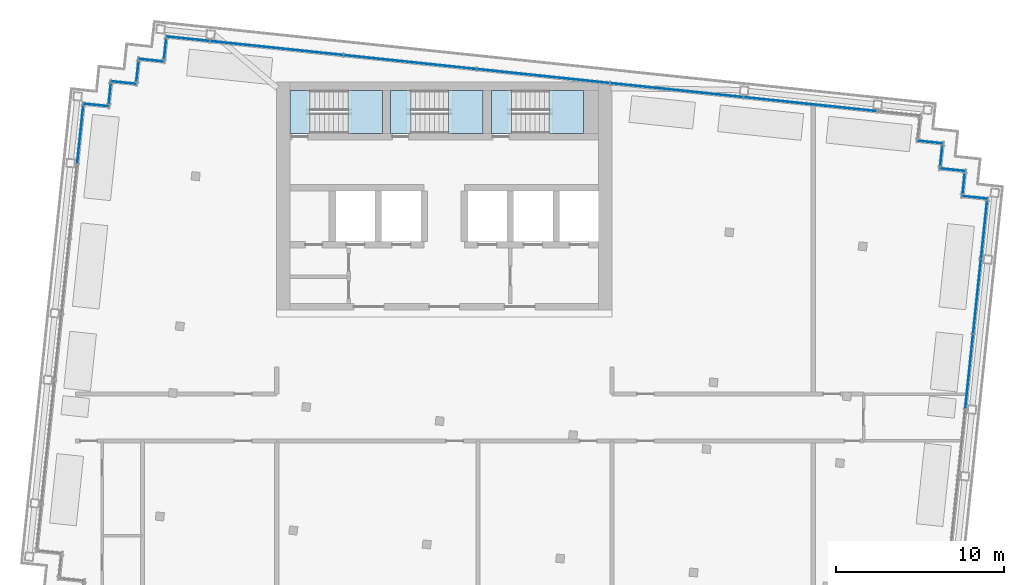
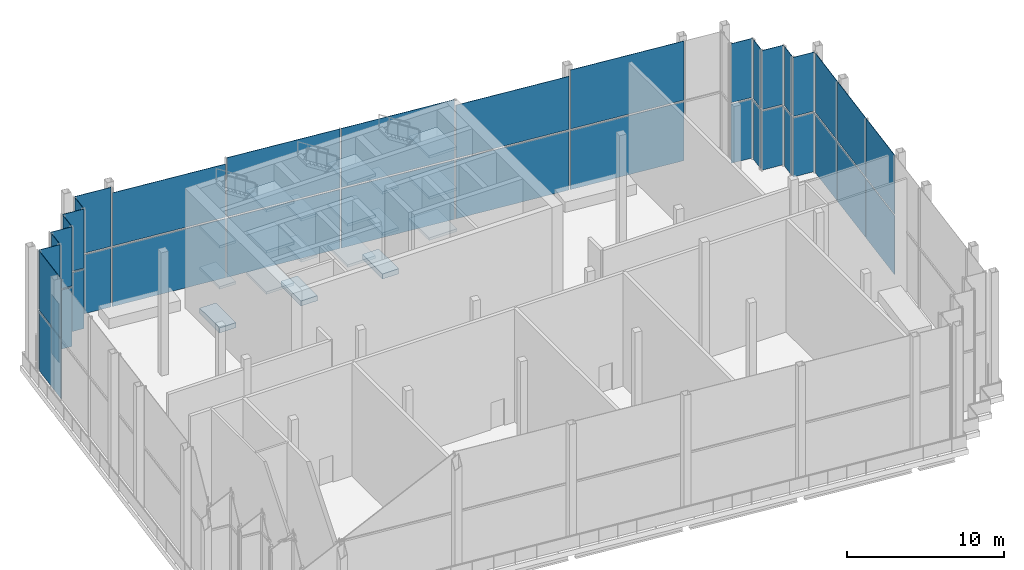
# One storey, part 7 of 14: 42 plates, 18 slabs, 17 elements without a shape of their own.
"""IFC4 building model written with IfcOpenShell, lengths in metres."""

from ifc_helpers import new_model, si_unit, direction, frame, origin, origin_2d, place, context, subcontext, project, spatial, polyline, rectangle, outline, extrude, material, layer, layer_set, type_object, element, aggregate, save


model = new_model("IFC4")

# Units and contexts
model_context = context("Model", 3, precision=1e-05, world=origin(), true_north=direction((0.0, 1.0)))
body_context = subcontext(model_context, "Body", "Model", "MODEL_VIEW")
ifc_project = project(units=[si_unit("LENGTHUNIT", "METRE"), si_unit("AREAUNIT", "SQUARE_METRE"), si_unit("VOLUMEUNIT", "CUBIC_METRE"), si_unit("PLANEANGLEUNIT", "RADIAN"), si_unit("MASSUNIT", "GRAM", prefix="KILO")], contexts=[model_context])

# Site, building, storey
site_placement = place(None, origin())
site = spatial("IfcSite", under=ifc_project, at=site_placement, CompositionType="ELEMENT")
building_placement = place(site_placement, origin())
building = spatial("IfcBuilding", under=site, at=building_placement, Name="Vidyagriha Tower", CompositionType="ELEMENT")
storey_placement = place(building_placement, frame((0.0, 0.0, 281.89990234375)))
storey = spatial("IfcBuildingStorey", under=building, at=storey_placement, Name="L74", CompositionType="ELEMENT", Elevation=281.89990234375)

# Slabs
ifc_material_1 = material(Name="Concrete C40/50", Category="concrete")
ifc_layer_1 = layer(ifc_material_1, 0.39990234375)
ifc_layer_set_1 = layer_set([ifc_layer_1], Name="Concrete C40/50")
slab_type_1 = type_object("IfcSlabType", Name="Exit stair floor landing 400 mm", PredefinedType="LANDING", material=ifc_layer_set_1)
slab_1_placement = place(storey_placement, frame((0.0, 0.0, -0.39990234375)))
element("IfcSlab", 1, at=slab_1_placement, inside=storey, type_object=slab_type_1, Name="ST1 floor landing L74", PredefinedType="LANDING", context=body_context, shape_type="SweptSolid", body=[
    extrude(outline(polyline([(-9.199951171875, 16.949951171875), (-8.0, 16.949951171875), (-8.0, 19.5), (-9.199951171875, 19.5), (-9.199951171875, 16.949951171875)])), origin(), (0.0, 0.0, 1.0), 0.39990234375),
])
slab_2_placement = place(storey_placement, frame((0.0, 0.0, -0.39990234375)))
element("IfcSlab", 2, at=slab_2_placement, inside=storey, type_object=slab_type_1, Name="ST2 floor landing L74", PredefinedType="LANDING", context=body_context, shape_type="SweptSolid", body=[
    extrude(outline(polyline([(-3.199951171875, 16.949951171875), (-2.0, 16.949951171875), (-2.0, 19.5), (-3.199951171875, 19.5), (-3.199951171875, 16.949951171875)])), origin(), (0.0, 0.0, 1.0), 0.39990234375),
])
slab_3_placement = place(storey_placement, frame((0.0, 0.0, -0.39990234375)))
element("IfcSlab", 3, at=slab_3_placement, inside=storey, type_object=slab_type_1, Name="ST3 floor landing L74", PredefinedType="LANDING", context=body_context, shape_type="SweptSolid", body=[
    extrude(outline(polyline([(2.800048828125, 16.949951171875), (4.0, 16.949951171875), (4.0, 19.5), (2.800048828125, 19.5), (2.800048828125, 16.949951171875)])), origin(), (0.0, 0.0, 1.0), 0.39990234375),
])

# Stair, slabs
ifc_material_2 = material(Name="Concrete C40/50", Category="concrete")
stair_type = type_object("IfcStairType", Name="Exit stair, half-turn, precast flights", PredefinedType="HALF_TURN_STAIR", material=ifc_material_2)
stair_1_placement = place(storey_placement, origin())
stair_1 = element("IfcStair", 4, at=stair_1_placement, inside=storey, type_object=stair_type, Name="L74 Exit Stair ST1", PredefinedType="HALF_TURN_STAIR")
ifc_material_3 = material(Name="Concrete C40/50", Category="concrete")
ifc_layer_2 = layer(ifc_material_3, 0.199951171875)
ifc_layer_set_2 = layer_set([ifc_layer_2], Name="Concrete C40/50")
slab_type_2 = type_object("IfcSlabType", Name="Exit stair landing 200 mm", PredefinedType="LANDING", material=ifc_layer_set_2)
slab_4_placement = place(storey_placement, frame((0.0, 0.0, 1.400146484375)))
slab_4 = element("IfcSlab", 5, at=slab_4_placement, type_object=slab_type_2, Name="ST1 landing 1", PredefinedType="LANDING", context=body_context, shape_type="SweptSolid", body=[
    extrude(outline(polyline([(-5.760009765625, 16.949951171875), (-3.699951171875, 16.949951171875), (-3.699951171875, 19.5), (-5.760009765625, 19.5), (-5.760009765625, 16.949951171875)])), origin(), (0.0, 0.0, 1.0), 0.199951171875),
])
slab_5_placement = place(storey_placement, frame((0.0, 0.0, 3.0)))
slab_5 = element("IfcSlab", 6, at=slab_5_placement, type_object=slab_type_2, Name="ST1 landing 2", PredefinedType="LANDING", context=body_context, shape_type="SweptSolid", body=[
    extrude(outline(polyline([(-9.199951171875, 16.949951171875), (-8.0, 16.949951171875), (-8.0, 19.5), (-9.199951171875, 19.5), (-9.199951171875, 16.949951171875)])), origin(), (0.0, 0.0, 1.0), 0.2001953125),
])
slab_6_placement = place(storey_placement, frame((0.0, 0.0, 4.60009765625)))
slab_6 = element("IfcSlab", 7, at=slab_6_placement, type_object=slab_type_2, Name="ST1 landing 3", PredefinedType="LANDING", context=body_context, shape_type="SweptSolid", body=[
    extrude(outline(polyline([(-5.760009765625, 16.949951171875), (-3.699951171875, 16.949951171875), (-3.699951171875, 19.5), (-5.760009765625, 19.5), (-5.760009765625, 16.949951171875)])), origin(), (0.0, 0.0, 1.0), 0.199951171875),
])
slab_7_placement = place(storey_placement, frame((0.0, 0.0, 6.2001953125)))
slab_7 = element("IfcSlab", 8, at=slab_7_placement, type_object=slab_type_2, Name="ST1 landing 4", PredefinedType="LANDING", context=body_context, shape_type="SweptSolid", body=[
    extrude(outline(polyline([(-9.199951171875, 16.949951171875), (-8.0, 16.949951171875), (-8.0, 19.5), (-9.199951171875, 19.5), (-9.199951171875, 16.949951171875)])), origin(), (0.0, 0.0, 1.0), 0.199951171875),
])
slab_8_placement = place(storey_placement, frame((0.0, 0.0, 7.800048828125)))
slab_8 = element("IfcSlab", 9, at=slab_8_placement, type_object=slab_type_2, Name="ST1 landing 5", PredefinedType="LANDING", context=body_context, shape_type="SweptSolid", body=[
    extrude(outline(polyline([(-5.760009765625, 16.949951171875), (-3.699951171875, 16.949951171875), (-3.699951171875, 19.5), (-5.760009765625, 19.5), (-5.760009765625, 16.949951171875)])), origin(), (0.0, 0.0, 1.0), 0.199951171875),
])
aggregate(stair_1, [slab_4, slab_5, slab_6, slab_7, slab_8])

stair_2_placement = place(storey_placement, origin())
stair_2 = element("IfcStair", 10, at=stair_2_placement, inside=storey, type_object=stair_type, Name="L74 Exit Stair ST2", PredefinedType="HALF_TURN_STAIR")
slab_9_placement = place(storey_placement, frame((0.0, 0.0, 1.400146484375)))
slab_9 = element("IfcSlab", 11, at=slab_9_placement, type_object=slab_type_2, Name="ST2 landing 1", PredefinedType="LANDING", context=body_context, shape_type="SweptSolid", body=[
    extrude(outline(polyline([(0.239990234375, 16.949951171875), (2.300048828125, 16.949951171875), (2.300048828125, 19.5), (0.239990234375, 19.5), (0.239990234375, 16.949951171875)])), origin(), (0.0, 0.0, 1.0), 0.199951171875),
])
slab_10_placement = place(storey_placement, frame((0.0, 0.0, 3.0)))
slab_10 = element("IfcSlab", 12, at=slab_10_placement, type_object=slab_type_2, Name="ST2 landing 2", PredefinedType="LANDING", context=body_context, shape_type="SweptSolid", body=[
    extrude(outline(polyline([(-3.199951171875, 16.949951171875), (-2.0, 16.949951171875), (-2.0, 19.5), (-3.199951171875, 19.5), (-3.199951171875, 16.949951171875)])), origin(), (0.0, 0.0, 1.0), 0.2001953125),
])
slab_11_placement = place(storey_placement, frame((0.0, 0.0, 4.60009765625)))
slab_11 = element("IfcSlab", 13, at=slab_11_placement, type_object=slab_type_2, Name="ST2 landing 3", PredefinedType="LANDING", context=body_context, shape_type="SweptSolid", body=[
    extrude(outline(polyline([(0.239990234375, 16.949951171875), (2.300048828125, 16.949951171875), (2.300048828125, 19.5), (0.239990234375, 19.5), (0.239990234375, 16.949951171875)])), origin(), (0.0, 0.0, 1.0), 0.199951171875),
])
slab_12_placement = place(storey_placement, frame((0.0, 0.0, 6.2001953125)))
slab_12 = element("IfcSlab", 14, at=slab_12_placement, type_object=slab_type_2, Name="ST2 landing 4", PredefinedType="LANDING", context=body_context, shape_type="SweptSolid", body=[
    extrude(outline(polyline([(-3.199951171875, 16.949951171875), (-2.0, 16.949951171875), (-2.0, 19.5), (-3.199951171875, 19.5), (-3.199951171875, 16.949951171875)])), origin(), (0.0, 0.0, 1.0), 0.199951171875),
])
slab_13_placement = place(storey_placement, frame((0.0, 0.0, 7.800048828125)))
slab_13 = element("IfcSlab", 15, at=slab_13_placement, type_object=slab_type_2, Name="ST2 landing 5", PredefinedType="LANDING", context=body_context, shape_type="SweptSolid", body=[
    extrude(outline(polyline([(0.239990234375, 16.949951171875), (2.300048828125, 16.949951171875), (2.300048828125, 19.5), (0.239990234375, 19.5), (0.239990234375, 16.949951171875)])), origin(), (0.0, 0.0, 1.0), 0.199951171875),
])
aggregate(stair_2, [slab_9, slab_10, slab_11, slab_12, slab_13])

stair_3_placement = place(storey_placement, origin())
stair_3 = element("IfcStair", 16, at=stair_3_placement, inside=storey, type_object=stair_type, Name="L74 Exit Stair ST3", PredefinedType="HALF_TURN_STAIR")
slab_14_placement = place(storey_placement, frame((0.0, 0.0, 1.400146484375)))
slab_14 = element("IfcSlab", 17, at=slab_14_placement, type_object=slab_type_2, Name="ST3 landing 1", PredefinedType="LANDING", context=body_context, shape_type="SweptSolid", body=[
    extrude(outline(polyline([(6.239990234375, 16.949951171875), (8.300048828125, 16.949951171875), (8.300048828125, 19.5), (6.239990234375, 19.5), (6.239990234375, 16.949951171875)])), origin(), (0.0, 0.0, 1.0), 0.199951171875),
])
slab_15_placement = place(storey_placement, frame((0.0, 0.0, 3.0)))
slab_15 = element("IfcSlab", 18, at=slab_15_placement, type_object=slab_type_2, Name="ST3 landing 2", PredefinedType="LANDING", context=body_context, shape_type="SweptSolid", body=[
    extrude(outline(polyline([(2.800048828125, 16.949951171875), (4.0, 16.949951171875), (4.0, 19.5), (2.800048828125, 19.5), (2.800048828125, 16.949951171875)])), origin(), (0.0, 0.0, 1.0), 0.2001953125),
])
slab_16_placement = place(storey_placement, frame((0.0, 0.0, 4.60009765625)))
slab_16 = element("IfcSlab", 19, at=slab_16_placement, type_object=slab_type_2, Name="ST3 landing 3", PredefinedType="LANDING", context=body_context, shape_type="SweptSolid", body=[
    extrude(outline(polyline([(6.239990234375, 16.949951171875), (8.300048828125, 16.949951171875), (8.300048828125, 19.5), (6.239990234375, 19.5), (6.239990234375, 16.949951171875)])), origin(), (0.0, 0.0, 1.0), 0.199951171875),
])
slab_17_placement = place(storey_placement, frame((0.0, 0.0, 6.2001953125)))
slab_17 = element("IfcSlab", 20, at=slab_17_placement, type_object=slab_type_2, Name="ST3 landing 4", PredefinedType="LANDING", context=body_context, shape_type="SweptSolid", body=[
    extrude(outline(polyline([(2.800048828125, 16.949951171875), (4.0, 16.949951171875), (4.0, 19.5), (2.800048828125, 19.5), (2.800048828125, 16.949951171875)])), origin(), (0.0, 0.0, 1.0), 0.199951171875),
])
slab_18_placement = place(storey_placement, frame((0.0, 0.0, 7.800048828125)))
slab_18 = element("IfcSlab", 21, at=slab_18_placement, type_object=slab_type_2, Name="ST3 landing 5", PredefinedType="LANDING", context=body_context, shape_type="SweptSolid", body=[
    extrude(outline(polyline([(6.239990234375, 16.949951171875), (8.300048828125, 16.949951171875), (8.300048828125, 19.5), (6.239990234375, 19.5), (6.239990234375, 16.949951171875)])), origin(), (0.0, 0.0, 1.0), 0.199951171875),
])
aggregate(stair_3, [slab_14, slab_15, slab_16, slab_17, slab_18])

# Curtain wall, plates
ifc_material_4 = material(Name="Aluminium and glass curtain wall", Category="aluminium")
curtain_wall_type = type_object("IfcCurtainWallType", Name="Winter garden glazing wall", PredefinedType="USERDEFINED", material=ifc_material_4)
curtain_wall_1_placement = place(storey_placement, origin())
curtain_wall_1 = element("IfcCurtainWall", 22, at=curtain_wall_1_placement, inside=storey, type_object=curtain_wall_type, Name="CW3 winter garden glazing", ObjectType="STICK GLAZING", PredefinedType="USERDEFINED")
ifc_material_5 = material(Name="Laminated green-tint solar-control glass", Category="glass")
ifc_layer_3 = layer(ifc_material_5, 0.031982421875)
ifc_layer_set_3 = layer_set([ifc_layer_3], Name="Laminated green-tint solar-control glass")
plate_type = type_object("IfcPlateType", Name="Green-tint winter garden glass panel", PredefinedType="CURTAIN_PANEL", material=ifc_layer_set_3)
plate_1_placement = place(storey_placement, frame((31.64111328125, 13.125244140625, 0.0), z_axis=(0.0, 0.0, 1.0), x_axis=(-0.99452853646, 0.104465258184, 0.0)))
plate_1 = element("IfcPlate", 23, at=plate_1_placement, type_object=plate_type, Name="CW3 panel 1.1", PredefinedType="CURTAIN_PANEL", context=body_context, shape_type="SweptSolid", body=[
    extrude(rectangle(XDim=1.5, YDim=0.031982421875, at=origin_2d()), origin(), (0.0, 0.0, 1.0), 4.60009765625),
])
plate_2_placement = place(storey_placement, frame((31.64111328125, 13.125244140625, 4.719970703125), z_axis=(0.0, 0.0, 1.0), x_axis=(-0.99452853646, 0.104465258184, 0.0)))
plate_2 = element("IfcPlate", 24, at=plate_2_placement, type_object=plate_type, Name="CW3 panel 1.2", PredefinedType="CURTAIN_PANEL", context=body_context, shape_type="SweptSolid", body=[
    extrude(rectangle(XDim=1.5, YDim=0.031982421875, at=origin_2d()), origin(), (0.0, 0.0, 1.0), 4.60009765625),
])
aggregate(curtain_wall_1, [plate_1, plate_2])

curtain_wall_2_placement = place(storey_placement, origin())
curtain_wall_2 = element("IfcCurtainWall", 25, at=curtain_wall_2_placement, inside=storey, type_object=curtain_wall_type, Name="CW3 winter garden glazing", ObjectType="STICK GLAZING", PredefinedType="USERDEFINED")
plate_3_placement = place(storey_placement, frame((30.973876953125, 13.949462890625, 0.0), z_axis=(0.0, 0.0, 1.0), x_axis=(0.104475014354, 0.994527511623, 0.0)))
plate_3 = element("IfcPlate", 26, at=plate_3_placement, type_object=plate_type, Name="CW3 panel 1.1", PredefinedType="CURTAIN_PANEL", context=body_context, shape_type="SweptSolid", body=[
    extrude(rectangle(XDim=1.179931640625, YDim=0.031982421875, at=origin_2d()), origin(), (0.0, 0.0, 1.0), 4.60009765625),
])
plate_4_placement = place(storey_placement, frame((30.973876953125, 13.949462890625, 4.719970703125), z_axis=(0.0, 0.0, 1.0), x_axis=(0.104475014354, 0.994527511623, 0.0)))
plate_4 = element("IfcPlate", 27, at=plate_4_placement, type_object=plate_type, Name="CW3 panel 1.2", PredefinedType="CURTAIN_PANEL", context=body_context, shape_type="SweptSolid", body=[
    extrude(rectangle(XDim=1.179931640625, YDim=0.031982421875, at=origin_2d()), origin(), (0.0, 0.0, 1.0), 4.60009765625),
])
aggregate(curtain_wall_2, [plate_3, plate_4])

curtain_wall_3_placement = place(storey_placement, origin())
curtain_wall_3 = element("IfcCurtainWall", 28, at=curtain_wall_3_placement, inside=storey, type_object=curtain_wall_type, Name="CW3 winter garden glazing", ObjectType="STICK GLAZING", PredefinedType="USERDEFINED")
plate_5_placement = place(storey_placement, frame((30.30615234375, 14.773681640625, 0.0), z_axis=(0.0, 0.0, 1.0), x_axis=(-0.994522933756, 0.104518583201, 0.0)))
plate_5 = element("IfcPlate", 29, at=plate_5_placement, type_object=plate_type, Name="CW3 panel 1.1", PredefinedType="CURTAIN_PANEL", context=body_context, shape_type="SweptSolid", body=[
    extrude(rectangle(XDim=1.5, YDim=0.031982421875, at=origin_2d()), origin(), (0.0, 0.0, 1.0), 4.60009765625),
])
plate_6_placement = place(storey_placement, frame((30.30615234375, 14.773681640625, 4.719970703125), z_axis=(0.0, 0.0, 1.0), x_axis=(-0.994522933756, 0.104518583201, 0.0)))
plate_6 = element("IfcPlate", 30, at=plate_6_placement, type_object=plate_type, Name="CW3 panel 1.2", PredefinedType="CURTAIN_PANEL", context=body_context, shape_type="SweptSolid", body=[
    extrude(rectangle(XDim=1.5, YDim=0.031982421875, at=origin_2d()), origin(), (0.0, 0.0, 1.0), 4.60009765625),
])
aggregate(curtain_wall_3, [plate_5, plate_6])

curtain_wall_4_placement = place(storey_placement, origin())
curtain_wall_4 = element("IfcCurtainWall", 31, at=curtain_wall_4_placement, inside=storey, type_object=curtain_wall_type, Name="CW3 winter garden glazing", ObjectType="STICK GLAZING", PredefinedType="USERDEFINED")
plate_7_placement = place(storey_placement, frame((29.638916015625, 15.59814453125, 0.0), z_axis=(0.0, 0.0, 1.0), x_axis=(0.104556583677, 0.994518939392, 0.0)))
plate_7 = element("IfcPlate", 32, at=plate_7_placement, type_object=plate_type, Name="CW3 panel 1.1", PredefinedType="CURTAIN_PANEL", context=body_context, shape_type="SweptSolid", body=[
    extrude(rectangle(XDim=1.179931640625, YDim=0.031982421875, at=origin_2d()), origin(), (0.0, 0.0, 1.0), 4.60009765625),
])
plate_8_placement = place(storey_placement, frame((29.638916015625, 15.59814453125, 4.719970703125), z_axis=(0.0, 0.0, 1.0), x_axis=(0.104556583677, 0.994518939392, 0.0)))
plate_8 = element("IfcPlate", 33, at=plate_8_placement, type_object=plate_type, Name="CW3 panel 1.2", PredefinedType="CURTAIN_PANEL", context=body_context, shape_type="SweptSolid", body=[
    extrude(rectangle(XDim=1.179931640625, YDim=0.031982421875, at=origin_2d()), origin(), (0.0, 0.0, 1.0), 4.60009765625),
])
aggregate(curtain_wall_4, [plate_7, plate_8])

curtain_wall_5_placement = place(storey_placement, origin())
curtain_wall_5 = element("IfcCurtainWall", 34, at=curtain_wall_5_placement, inside=storey, type_object=curtain_wall_type, Name="CW3 winter garden glazing", ObjectType="STICK GLAZING", PredefinedType="USERDEFINED")
plate_9_placement = place(storey_placement, frame((28.97119140625, 16.42236328125, 0.0), z_axis=(0.0, 0.0, 1.0), x_axis=(-0.994522933756, 0.104518583201, 0.0)))
plate_9 = element("IfcPlate", 35, at=plate_9_placement, type_object=plate_type, Name="CW3 panel 1.1", PredefinedType="CURTAIN_PANEL", context=body_context, shape_type="SweptSolid", body=[
    extrude(rectangle(XDim=1.5, YDim=0.031982421875, at=origin_2d()), origin(), (0.0, 0.0, 1.0), 4.60009765625),
])
plate_10_placement = place(storey_placement, frame((28.97119140625, 16.42236328125, 4.719970703125), z_axis=(0.0, 0.0, 1.0), x_axis=(-0.994522933756, 0.104518583201, 0.0)))
plate_10 = element("IfcPlate", 36, at=plate_10_placement, type_object=plate_type, Name="CW3 panel 1.2", PredefinedType="CURTAIN_PANEL", context=body_context, shape_type="SweptSolid", body=[
    extrude(rectangle(XDim=1.5, YDim=0.031982421875, at=origin_2d()), origin(), (0.0, 0.0, 1.0), 4.60009765625),
])
aggregate(curtain_wall_5, [plate_9, plate_10])

curtain_wall_6_placement = place(storey_placement, origin())
curtain_wall_6 = element("IfcCurtainWall", 37, at=curtain_wall_6_placement, inside=storey, type_object=curtain_wall_type, Name="CW3 winter garden glazing", ObjectType="STICK GLAZING", PredefinedType="USERDEFINED")
plate_11_placement = place(storey_placement, frame((21.818359375, 18.682373046875, 0.0), z_axis=(0.0, 0.0, 1.0), x_axis=(-0.994521941707, 0.104528022383, 0.0)))
plate_11 = element("IfcPlate", 38, at=plate_11_placement, type_object=plate_type, Name="CW3 panel 2.1", PredefinedType="CURTAIN_PANEL", context=body_context, shape_type="SweptSolid", body=[
    extrude(rectangle(XDim=7.919921875, YDim=0.031982421875, at=origin_2d()), origin(), (0.0, 0.0, 1.0), 4.60009765625),
])
plate_12_placement = place(storey_placement, frame((21.818359375, 18.682373046875, 4.719970703125), z_axis=(0.0, 0.0, 1.0), x_axis=(-0.994521941707, 0.104528022383, 0.0)))
plate_12 = element("IfcPlate", 39, at=plate_12_placement, type_object=plate_type, Name="CW3 panel 2.2", PredefinedType="CURTAIN_PANEL", context=body_context, shape_type="SweptSolid", body=[
    extrude(rectangle(XDim=7.919921875, YDim=0.031982421875, at=origin_2d()), origin(), (0.0, 0.0, 1.0), 4.60009765625),
])
plate_13_placement = place(storey_placement, frame((13.862060546875, 19.518798828125, 0.0), z_axis=(0.0, 0.0, 1.0), x_axis=(-0.994521941707, 0.104528022383, 0.0)))
plate_13 = element("IfcPlate", 40, at=plate_13_placement, type_object=plate_type, Name="CW3 panel 3.1", PredefinedType="CURTAIN_PANEL", context=body_context, shape_type="SweptSolid", body=[
    extrude(rectangle(XDim=7.919921875, YDim=0.031982421875, at=origin_2d()), origin(), (0.0, 0.0, 1.0), 4.60009765625),
])
plate_14_placement = place(storey_placement, frame((13.862060546875, 19.518798828125, 4.72021484375), z_axis=(0.0, 0.0, 1.0), x_axis=(-0.994521941707, 0.104528022383, 0.0)))
plate_14 = element("IfcPlate", 41, at=plate_14_placement, type_object=plate_type, Name="CW3 panel 3.2", PredefinedType="CURTAIN_PANEL", context=body_context, shape_type="SweptSolid", body=[
    extrude(rectangle(XDim=7.919921875, YDim=0.031982421875, at=origin_2d()), origin(), (0.0, 0.0, 1.0), 4.1376953125),
])
plate_15_placement = place(storey_placement, frame((5.906005859375, 20.35498046875, 0.0), z_axis=(0.0, 0.0, 1.0), x_axis=(-0.994521941707, 0.104528022383, 0.0)))
plate_15 = element("IfcPlate", 42, at=plate_15_placement, type_object=plate_type, Name="CW3 panel 4.1", PredefinedType="CURTAIN_PANEL", context=body_context, shape_type="SweptSolid", body=[
    extrude(rectangle(XDim=7.919921875, YDim=0.031982421875, at=origin_2d()), origin(), (0.0, 0.0, 1.0), 4.60009765625),
])
plate_16_placement = place(storey_placement, frame((5.906005859375, 20.35498046875, 4.719970703125), z_axis=(0.0, 0.0, 1.0), x_axis=(-0.994521941707, 0.104528022383, 0.0)))
plate_16 = element("IfcPlate", 43, at=plate_16_placement, type_object=plate_type, Name="CW3 panel 4.2", PredefinedType="CURTAIN_PANEL", context=body_context, shape_type="SweptSolid", body=[
    extrude(rectangle(XDim=7.919921875, YDim=0.031982421875, at=origin_2d()), origin(), (0.0, 0.0, 1.0), 4.60009765625),
])
plate_17_placement = place(storey_placement, frame((-2.05029296875, 21.191162109375, 0.0), z_axis=(0.0, 0.0, 1.0), x_axis=(-0.994521941707, 0.104528022383, 0.0)))
plate_17 = element("IfcPlate", 44, at=plate_17_placement, type_object=plate_type, Name="CW3 panel 5.1", PredefinedType="CURTAIN_PANEL", context=body_context, shape_type="SweptSolid", body=[
    extrude(rectangle(XDim=7.919921875, YDim=0.031982421875, at=origin_2d()), origin(), (0.0, 0.0, 1.0), 4.60009765625),
])
plate_18_placement = place(storey_placement, frame((-2.05029296875, 21.191162109375, 4.719970703125), z_axis=(0.0, 0.0, 1.0), x_axis=(-0.994521941707, 0.104528022383, 0.0)))
plate_18 = element("IfcPlate", 45, at=plate_18_placement, type_object=plate_type, Name="CW3 panel 5.2", PredefinedType="CURTAIN_PANEL", context=body_context, shape_type="SweptSolid", body=[
    extrude(rectangle(XDim=7.919921875, YDim=0.031982421875, at=origin_2d()), origin(), (0.0, 0.0, 1.0), 4.60009765625),
])
plate_19_placement = place(storey_placement, frame((-10.00634765625, 22.02734375, 0.0), z_axis=(0.0, 0.0, 1.0), x_axis=(-0.994521941707, 0.104528022383, 0.0)))
plate_19 = element("IfcPlate", 46, at=plate_19_placement, type_object=plate_type, Name="CW3 panel 6.1", PredefinedType="CURTAIN_PANEL", context=body_context, shape_type="SweptSolid", body=[
    extrude(rectangle(XDim=7.919921875, YDim=0.031982421875, at=origin_2d()), origin(), (0.0, 0.0, 1.0), 4.60009765625),
])
plate_20_placement = place(storey_placement, frame((-10.00634765625, 22.02734375, 4.72021484375), z_axis=(0.0, 0.0, 1.0), x_axis=(-0.994521941707, 0.104528022383, 0.0)))
plate_20 = element("IfcPlate", 47, at=plate_20_placement, type_object=plate_type, Name="CW3 panel 6.2", PredefinedType="CURTAIN_PANEL", context=body_context, shape_type="SweptSolid", body=[
    extrude(rectangle(XDim=7.919921875, YDim=0.031982421875, at=origin_2d()), origin(), (0.0, 0.0, 1.0), 4.1376953125),
])
plate_21_placement = place(storey_placement, frame((-15.29736328125, 22.58349609375, 0.0), z_axis=(0.0, 0.0, 1.0), x_axis=(-0.994521941707, 0.104528022383, 0.0)))
plate_21 = element("IfcPlate", 48, at=plate_21_placement, type_object=plate_type, Name="CW3 panel 7.1", PredefinedType="CURTAIN_PANEL", context=body_context, shape_type="SweptSolid", body=[
    extrude(rectangle(XDim=2.56005859375, YDim=0.031982421875, at=origin_2d()), origin(), (0.0, 0.0, 1.0), 4.60009765625),
])
plate_22_placement = place(storey_placement, frame((-15.29736328125, 22.58349609375, 4.719970703125), z_axis=(0.0, 0.0, 1.0), x_axis=(-0.994521941707, 0.104528022383, 0.0)))
plate_22 = element("IfcPlate", 49, at=plate_22_placement, type_object=plate_type, Name="CW3 panel 7.2", PredefinedType="CURTAIN_PANEL", context=body_context, shape_type="SweptSolid", body=[
    extrude(rectangle(XDim=2.56005859375, YDim=0.031982421875, at=origin_2d()), origin(), (0.0, 0.0, 1.0), 4.60009765625),
])
aggregate(curtain_wall_6, [plate_11, plate_12, plate_13, plate_14, plate_15, plate_16, plate_17, plate_18, plate_19, plate_20, plate_21, plate_22])

curtain_wall_7_placement = place(storey_placement, origin())
curtain_wall_7 = element("IfcCurtainWall", 50, at=curtain_wall_7_placement, inside=storey, type_object=curtain_wall_type, Name="CW3 winter garden glazing", ObjectType="STICK GLAZING", PredefinedType="USERDEFINED")
plate_23_placement = place(storey_placement, frame((-16.648681640625, 21.971435546875, 0.0), z_axis=(0.0, 0.0, 1.0), x_axis=(-0.104548823962, -0.994519755162, 0.0)))
plate_23 = element("IfcPlate", 51, at=plate_23_placement, type_object=plate_type, Name="CW3 panel 1.1", PredefinedType="CURTAIN_PANEL", context=body_context, shape_type="SweptSolid", body=[
    extrude(rectangle(XDim=1.179931640625, YDim=0.031982421875, at=origin_2d()), origin(), (0.0, 0.0, 1.0), 4.60009765625),
])
plate_24_placement = place(storey_placement, frame((-16.648681640625, 21.971435546875, 4.719970703125), z_axis=(0.0, 0.0, 1.0), x_axis=(-0.104548823962, -0.994519755162, 0.0)))
plate_24 = element("IfcPlate", 52, at=plate_24_placement, type_object=plate_type, Name="CW3 panel 1.2", PredefinedType="CURTAIN_PANEL", context=body_context, shape_type="SweptSolid", body=[
    extrude(rectangle(XDim=1.179931640625, YDim=0.031982421875, at=origin_2d()), origin(), (0.0, 0.0, 1.0), 4.60009765625),
])
aggregate(curtain_wall_7, [plate_23, plate_24])

curtain_wall_8_placement = place(storey_placement, origin())
curtain_wall_8 = element("IfcCurtainWall", 53, at=curtain_wall_8_placement, inside=storey, type_object=curtain_wall_type, Name="CW3 winter garden glazing", ObjectType="STICK GLAZING", PredefinedType="USERDEFINED")
plate_25_placement = place(storey_placement, frame((-17.472900390625, 21.303955078125, 0.0), z_axis=(0.0, 0.0, 1.0), x_axis=(-0.994522933756, 0.104518583201, 0.0)))
plate_25 = element("IfcPlate", 54, at=plate_25_placement, type_object=plate_type, Name="CW3 panel 1.1", PredefinedType="CURTAIN_PANEL", context=body_context, shape_type="SweptSolid", body=[
    extrude(rectangle(XDim=1.5, YDim=0.031982421875, at=origin_2d()), origin(), (0.0, 0.0, 1.0), 4.60009765625),
])
plate_26_placement = place(storey_placement, frame((-17.472900390625, 21.303955078125, 4.719970703125), z_axis=(0.0, 0.0, 1.0), x_axis=(-0.994522933756, 0.104518583201, 0.0)))
plate_26 = element("IfcPlate", 55, at=plate_26_placement, type_object=plate_type, Name="CW3 panel 1.2", PredefinedType="CURTAIN_PANEL", context=body_context, shape_type="SweptSolid", body=[
    extrude(rectangle(XDim=1.5, YDim=0.031982421875, at=origin_2d()), origin(), (0.0, 0.0, 1.0), 4.60009765625),
])
aggregate(curtain_wall_8, [plate_25, plate_26])

curtain_wall_9_placement = place(storey_placement, origin())
curtain_wall_9 = element("IfcCurtainWall", 56, at=curtain_wall_9_placement, inside=storey, type_object=curtain_wall_type, Name="CW3 winter garden glazing", ObjectType="STICK GLAZING", PredefinedType="USERDEFINED")
plate_27_placement = place(storey_placement, frame((-18.297119140625, 20.636474609375, 0.0), z_axis=(0.0, 0.0, 1.0), x_axis=(-0.104548823962, -0.994519755162, 0.0)))
plate_27 = element("IfcPlate", 57, at=plate_27_placement, type_object=plate_type, Name="CW3 panel 1.1", PredefinedType="CURTAIN_PANEL", context=body_context, shape_type="SweptSolid", body=[
    extrude(rectangle(XDim=1.179931640625, YDim=0.031982421875, at=origin_2d()), origin(), (0.0, 0.0, 1.0), 4.60009765625),
])
plate_28_placement = place(storey_placement, frame((-18.297119140625, 20.636474609375, 4.719970703125), z_axis=(0.0, 0.0, 1.0), x_axis=(-0.104548823962, -0.994519755162, 0.0)))
plate_28 = element("IfcPlate", 58, at=plate_28_placement, type_object=plate_type, Name="CW3 panel 1.2", PredefinedType="CURTAIN_PANEL", context=body_context, shape_type="SweptSolid", body=[
    extrude(rectangle(XDim=1.179931640625, YDim=0.031982421875, at=origin_2d()), origin(), (0.0, 0.0, 1.0), 4.60009765625),
])
aggregate(curtain_wall_9, [plate_27, plate_28])

curtain_wall_10_placement = place(storey_placement, origin())
curtain_wall_10 = element("IfcCurtainWall", 59, at=curtain_wall_10_placement, inside=storey, type_object=curtain_wall_type, Name="CW3 winter garden glazing", ObjectType="STICK GLAZING", PredefinedType="USERDEFINED")
plate_29_placement = place(storey_placement, frame((-19.12158203125, 19.96875, 0.0), z_axis=(0.0, 0.0, 1.0), x_axis=(-0.994523591781, 0.104512321721, 0.0)))
plate_29 = element("IfcPlate", 60, at=plate_29_placement, type_object=plate_type, Name="CW3 panel 1.1", PredefinedType="CURTAIN_PANEL", context=body_context, shape_type="SweptSolid", body=[
    extrude(rectangle(XDim=1.5, YDim=0.031982421875, at=origin_2d()), origin(), (0.0, 0.0, 1.0), 4.60009765625),
])
plate_30_placement = place(storey_placement, frame((-19.12158203125, 19.96875, 4.719970703125), z_axis=(0.0, 0.0, 1.0), x_axis=(-0.994523591781, 0.104512321721, 0.0)))
plate_30 = element("IfcPlate", 61, at=plate_30_placement, type_object=plate_type, Name="CW3 panel 1.2", PredefinedType="CURTAIN_PANEL", context=body_context, shape_type="SweptSolid", body=[
    extrude(rectangle(XDim=1.5, YDim=0.031982421875, at=origin_2d()), origin(), (0.0, 0.0, 1.0), 4.60009765625),
])
aggregate(curtain_wall_10, [plate_29, plate_30])

curtain_wall_11_placement = place(storey_placement, origin())
curtain_wall_11 = element("IfcCurtainWall", 62, at=curtain_wall_11_placement, inside=storey, type_object=curtain_wall_type, Name="CW3 winter garden glazing", ObjectType="STICK GLAZING", PredefinedType="USERDEFINED")
plate_31_placement = place(storey_placement, frame((-19.94580078125, 19.301513671875, 0.0), z_axis=(0.0, 0.0, 1.0), x_axis=(-0.10456434453, -0.994518123441, 0.0)))
plate_31 = element("IfcPlate", 63, at=plate_31_placement, type_object=plate_type, Name="CW3 panel 1.1", PredefinedType="CURTAIN_PANEL", context=body_context, shape_type="SweptSolid", body=[
    extrude(rectangle(XDim=1.1796875, YDim=0.031982421875, at=origin_2d()), origin(), (0.0, 0.0, 1.0), 4.60009765625),
])
plate_32_placement = place(storey_placement, frame((-19.94580078125, 19.301513671875, 4.719970703125), z_axis=(0.0, 0.0, 1.0), x_axis=(-0.10456434453, -0.994518123441, 0.0)))
plate_32 = element("IfcPlate", 64, at=plate_32_placement, type_object=plate_type, Name="CW3 panel 1.2", PredefinedType="CURTAIN_PANEL", context=body_context, shape_type="SweptSolid", body=[
    extrude(rectangle(XDim=1.1796875, YDim=0.031982421875, at=origin_2d()), origin(), (0.0, 0.0, 1.0), 4.60009765625),
])
aggregate(curtain_wall_11, [plate_31, plate_32])

curtain_wall_12_placement = place(storey_placement, origin())
curtain_wall_12 = element("IfcCurtainWall", 65, at=curtain_wall_12_placement, inside=storey, type_object=curtain_wall_type, Name="CW3 winter garden glazing", ObjectType="STICK GLAZING", PredefinedType="USERDEFINED")
plate_33_placement = place(storey_placement, frame((-20.77001953125, 18.634033203125, 0.0), z_axis=(0.0, 0.0, 1.0), x_axis=(-0.994529851134, 0.104452741485, 0.0)))
plate_33 = element("IfcPlate", 66, at=plate_33_placement, type_object=plate_type, Name="CW3 panel 1.1", PredefinedType="CURTAIN_PANEL", context=body_context, shape_type="SweptSolid", body=[
    extrude(rectangle(XDim=1.5, YDim=0.031982421875, at=origin_2d()), origin(), (0.0, 0.0, 1.0), 4.60009765625),
])
plate_34_placement = place(storey_placement, frame((-20.77001953125, 18.634033203125, 4.719970703125), z_axis=(0.0, 0.0, 1.0), x_axis=(-0.994529851134, 0.104452741485, 0.0)))
plate_34 = element("IfcPlate", 67, at=plate_34_placement, type_object=plate_type, Name="CW3 panel 1.2", PredefinedType="CURTAIN_PANEL", context=body_context, shape_type="SweptSolid", body=[
    extrude(rectangle(XDim=1.5, YDim=0.031982421875, at=origin_2d()), origin(), (0.0, 0.0, 1.0), 4.60009765625),
])
aggregate(curtain_wall_12, [plate_33, plate_34])

curtain_wall_13_placement = place(storey_placement, origin())
curtain_wall_13 = element("IfcCurtainWall", 68, at=curtain_wall_13_placement, inside=storey, type_object=curtain_wall_type, Name="CW3 winter garden glazing", ObjectType="STICK GLAZING", PredefinedType="USERDEFINED")
plate_35_placement = place(storey_placement, frame((-21.71044921875, 16.862548828125, 0.0), z_axis=(0.0, 0.0, 1.0), x_axis=(-0.104527289697, -0.994522018715, 0.0)))
plate_35 = element("IfcPlate", 69, at=plate_35_placement, type_object=plate_type, Name="CW3 panel 1.1", PredefinedType="CURTAIN_PANEL", context=body_context, shape_type="SweptSolid", body=[
    extrude(rectangle(XDim=3.39990234375, YDim=0.031982421875, at=origin_2d()), origin(), (0.0, 0.0, 1.0), 4.60009765625),
])
plate_36_placement = place(storey_placement, frame((-21.71044921875, 16.862548828125, 4.719970703125), z_axis=(0.0, 0.0, 1.0), x_axis=(-0.104527289697, -0.994522018715, 0.0)))
plate_36 = element("IfcPlate", 70, at=plate_36_placement, type_object=plate_type, Name="CW3 panel 1.2", PredefinedType="CURTAIN_PANEL", context=body_context, shape_type="SweptSolid", body=[
    extrude(rectangle(XDim=3.39990234375, YDim=0.031982421875, at=origin_2d()), origin(), (0.0, 0.0, 1.0), 4.60009765625),
])
aggregate(curtain_wall_13, [plate_35, plate_36])

curtain_wall_14_placement = place(storey_placement, origin())
curtain_wall_14 = element("IfcCurtainWall", 71, at=curtain_wall_14_placement, inside=storey, type_object=curtain_wall_type, Name="CW3 winter garden glazing", ObjectType="STICK GLAZING", PredefinedType="USERDEFINED")
plate_37_placement = place(storey_placement, frame((31.30517578125, 2.75341796875, 0.0), z_axis=(0.0, 0.0, 1.0), x_axis=(0.104526899479, 0.994522059728, 0.0)))
plate_37 = element("IfcPlate", 72, at=plate_37_placement, type_object=plate_type, Name="CW3 panel 4.1", PredefinedType="CURTAIN_PANEL", context=body_context, shape_type="SweptSolid", body=[
    extrude(rectangle(XDim=4.419921875, YDim=0.031982421875, at=origin_2d()), origin(), (0.0, 0.0, 1.0), 4.60009765625),
])
plate_38_placement = place(storey_placement, frame((31.30517578125, 2.75341796875, 4.719970703125), z_axis=(0.0, 0.0, 1.0), x_axis=(0.104526899479, 0.994522059728, 0.0)))
plate_38 = element("IfcPlate", 73, at=plate_38_placement, type_object=plate_type, Name="CW3 panel 4.2", PredefinedType="CURTAIN_PANEL", context=body_context, shape_type="SweptSolid", body=[
    extrude(rectangle(XDim=4.419921875, YDim=0.031982421875, at=origin_2d()), origin(), (0.0, 0.0, 1.0), 4.60009765625),
])
plate_39_placement = place(storey_placement, frame((31.775634765625, 7.22900390625, 0.0), z_axis=(0.0, 0.0, 1.0), x_axis=(0.104526899479, 0.994522059728, 0.0)))
plate_39 = element("IfcPlate", 74, at=plate_39_placement, type_object=plate_type, Name="CW3 panel 5.1", PredefinedType="CURTAIN_PANEL", context=body_context, shape_type="SweptSolid", body=[
    extrude(rectangle(XDim=4.419921875, YDim=0.031982421875, at=origin_2d()), origin(), (0.0, 0.0, 1.0), 4.60009765625),
])
plate_40_placement = place(storey_placement, frame((31.775634765625, 7.22900390625, 4.719970703125), z_axis=(0.0, 0.0, 1.0), x_axis=(0.104526899479, 0.994522059728, 0.0)))
plate_40 = element("IfcPlate", 75, at=plate_40_placement, type_object=plate_type, Name="CW3 panel 5.2", PredefinedType="CURTAIN_PANEL", context=body_context, shape_type="SweptSolid", body=[
    extrude(rectangle(XDim=4.419921875, YDim=0.031982421875, at=origin_2d()), origin(), (0.0, 0.0, 1.0), 4.60009765625),
])
plate_41_placement = place(storey_placement, frame((32.192626953125, 11.197021484375, 0.0), z_axis=(0.0, 0.0, 1.0), x_axis=(0.104526899479, 0.994522059728, 0.0)))
plate_41 = element("IfcPlate", 76, at=plate_41_placement, type_object=plate_type, Name="CW3 panel 6.1", PredefinedType="CURTAIN_PANEL", context=body_context, shape_type="SweptSolid", body=[
    extrude(rectangle(XDim=3.400146484375, YDim=0.031982421875, at=origin_2d()), origin(), (0.0, 0.0, 1.0), 4.60009765625),
])
plate_42_placement = place(storey_placement, frame((32.192626953125, 11.197021484375, 4.719970703125), z_axis=(0.0, 0.0, 1.0), x_axis=(0.104526899479, 0.994522059728, 0.0)))
plate_42 = element("IfcPlate", 77, at=plate_42_placement, type_object=plate_type, Name="CW3 panel 6.2", PredefinedType="CURTAIN_PANEL", context=body_context, shape_type="SweptSolid", body=[
    extrude(rectangle(XDim=3.400146484375, YDim=0.031982421875, at=origin_2d()), origin(), (0.0, 0.0, 1.0), 4.60009765625),
])
aggregate(curtain_wall_14, [plate_37, plate_38, plate_39, plate_40, plate_41, plate_42])

save(model, "model.ifc")
